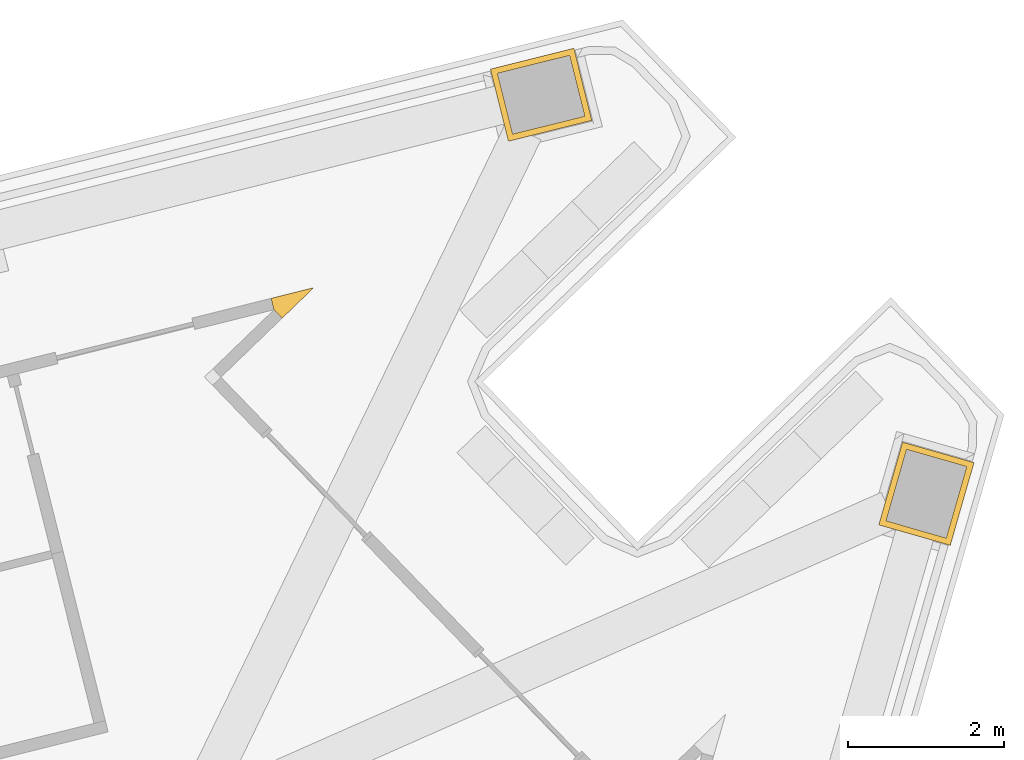
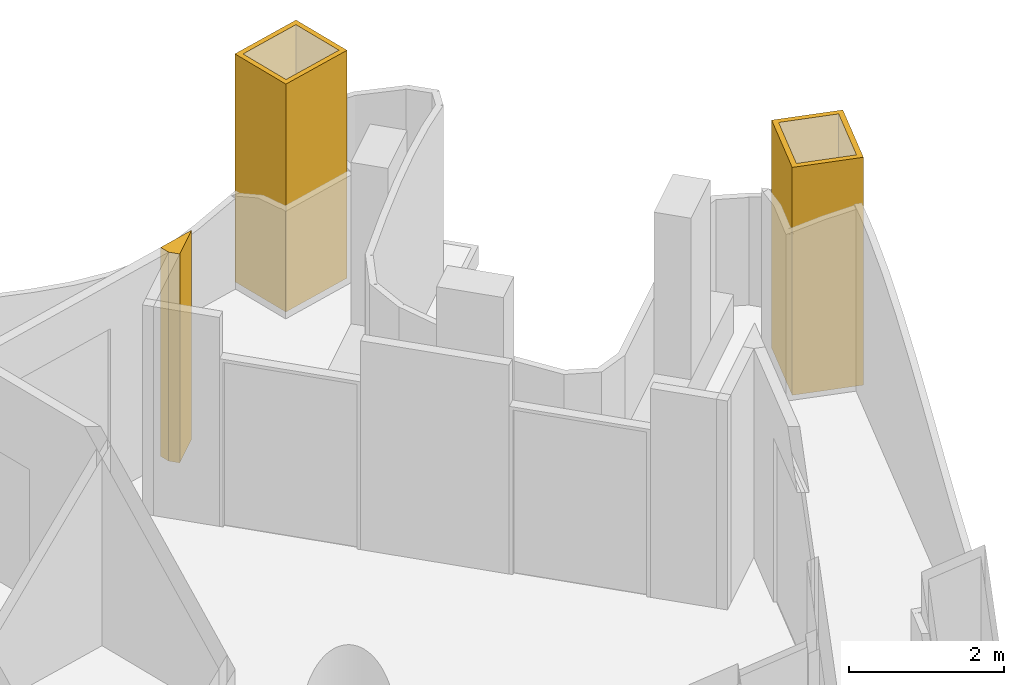
# One storey, part 19 of 20: 3 coverings.
"""IFC4 building model written with IfcOpenShell, lengths in metres."""

from ifc_helpers import new_model, si_unit, direction, frame, origin, place, context, subcontext, project, spatial, polyline, outline, extrude, material, layer, layer_set, type_object, element, save


model = new_model("IFC4")

# Units and contexts
model_context = context("Model", 3, precision=1e-05, world=origin(), true_north=direction((0.0, 1.0)))
body_context = subcontext(model_context, "Body", "Model", "MODEL_VIEW")
ifc_project = project(units=[si_unit("LENGTHUNIT", "METRE"), si_unit("AREAUNIT", "SQUARE_METRE"), si_unit("VOLUMEUNIT", "CUBIC_METRE"), si_unit("PLANEANGLEUNIT", "RADIAN"), si_unit("MASSUNIT", "GRAM", prefix="KILO")], contexts=[model_context])

# Site, building, storey
site_placement = place(None, origin())
site = spatial("IfcSite", under=ifc_project, at=site_placement, CompositionType="ELEMENT")
building_placement = place(site_placement, origin())
building = spatial("IfcBuilding", under=site, at=building_placement, Name="Trine Commons Tower", CompositionType="ELEMENT")
storey_placement = place(building_placement, frame((0.0, 0.0, 101.699951171875)))
storey = spatial("IfcBuildingStorey", under=building, at=storey_placement, Name="L25", CompositionType="ELEMENT", Elevation=101.699951171875)

# Coverings
ifc_material_1 = material(Name="Aluminium-framed insulated wall panel", Category="aluminium")
ifc_layer_1 = layer(ifc_material_1, 0.14990234375)
ifc_layer_set_1 = layer_set([ifc_layer_1], Name="Aluminium-framed insulated wall panel")
covering_type_1 = type_object("IfcCoveringType", Name="Glazing corner post, aluminium", PredefinedType="CLADDING", material=ifc_layer_set_1)
covering_1_placement = place(storey_placement, origin())
element("IfcCovering", 1, at=covering_1_placement, inside=storey, type_object=covering_type_1, Name="Glazing corner post 3-05", PredefinedType="CLADDING", context=body_context, shape_type="SweptSolid", body=[
    extrude(outline(polyline([(98.252197265625, 85.394775390625), (98.65478515625, 85.78369140625), (98.11181640625, 85.648193359375), (98.14794921875, 85.502685546875), (98.252197265625, 85.394775390625)])), origin(), (0.0, 0.0, 1.0), 3.300048828125),
])
ifc_material_2 = material(Name="Limestone, honed", Category="masonry")
ifc_layer_2 = layer(ifc_material_2, 0.074951171875)
ifc_layer_set_2 = layer_set([ifc_layer_2], Name="Limestone, honed")
covering_type_2 = type_object("IfcCoveringType", Name="Limestone column cladding 75", PredefinedType="CLADDING", material=ifc_layer_set_2)
covering_2_placement = place(storey_placement, origin())
element("IfcCovering", 2, at=covering_2_placement, inside=storey, type_object=covering_type_2, Name="Limestone pier cladding 3-16", PredefinedType="CLADDING", context=body_context, shape_type="SweptSolid", body=[
    extrude(outline(polyline([(102.211181640625, 87.922607421875), (101.9814453125, 88.84423828125), (100.9140625, 88.578125), (101.14404296875, 87.656494140625), (102.211181640625, 87.922607421875)]), holes=[polyline([(102.120361328125, 87.97705078125), (101.9267578125, 88.75341796875), (101.0048828125, 88.5234375), (101.198486328125, 87.747314453125), (102.120361328125, 87.97705078125)])]), origin(), (0.0, 0.0, 1.0), 3.60009765625),
])
covering_3_placement = place(storey_placement, origin())
element("IfcCovering", 3, at=covering_3_placement, inside=storey, type_object=covering_type_2, Name="Limestone pier cladding 3-17", PredefinedType="CLADDING", context=body_context, shape_type="SweptSolid", body=[
    extrude(outline(polyline([(107.095458984375, 83.548583984375), (106.18212890625, 83.810546875), (105.87890625, 82.753173828125), (106.792236328125, 82.4912109375), (107.095458984375, 83.548583984375)]), holes=[polyline([(107.002685546875, 83.497314453125), (106.233642578125, 83.7177734375), (105.9716796875, 82.8046875), (106.74072265625, 82.583984375), (107.002685546875, 83.497314453125)])]), origin(), (0.0, 0.0, 1.0), 3.60009765625),
])

save(model, "model.ifc")
